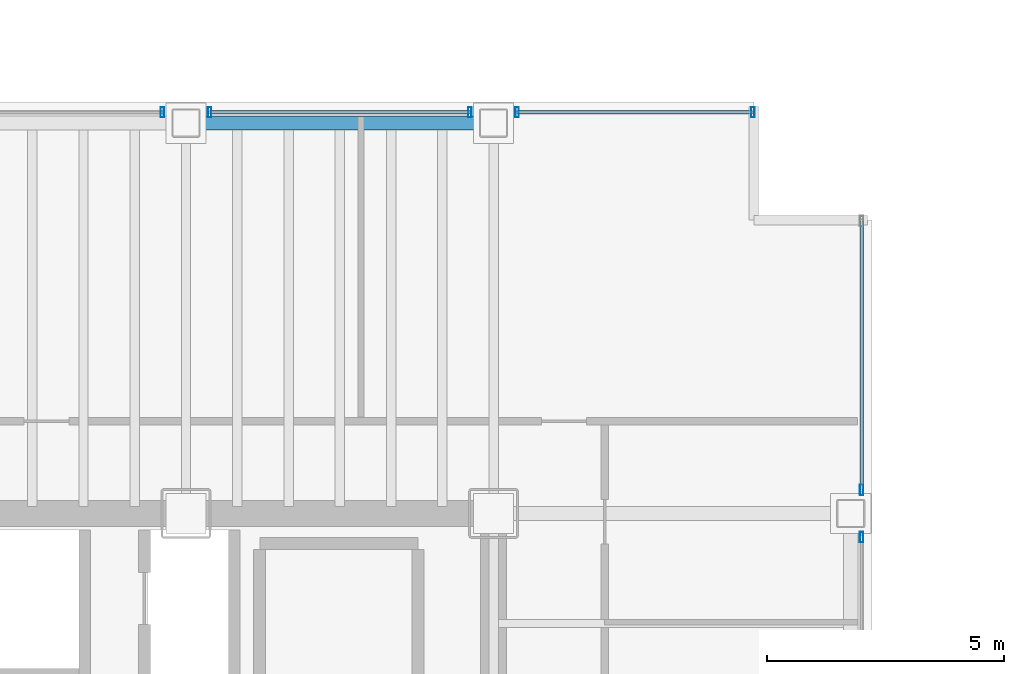
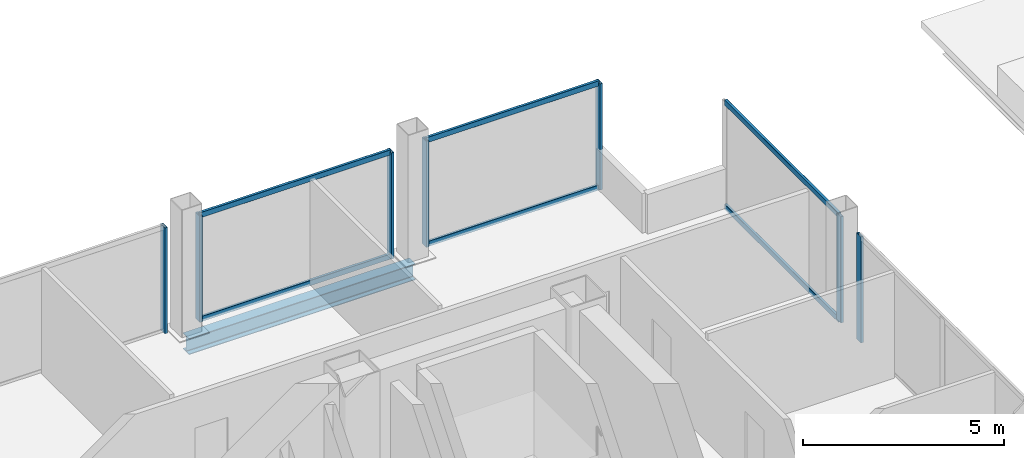
# One storey, part 20 of 30: 13 members, 1 beam, 5 elements without a shape of their own.
"""IFC4 building model written with IfcOpenShell, lengths in metres."""

from ifc_helpers import new_model, si_unit, direction, frame, origin, origin_2d, place, context, subcontext, project, spatial, hollow_rectangle, i_section, extrude, material, material_profile, profile_set, type_object, element, aggregate, save


model = new_model("IFC4")

# Units and contexts
model_context = context("Model", 3, precision=1e-05, world=origin(), true_north=direction((0.0, 1.0)))
body_context = subcontext(model_context, "Body", "Model", "MODEL_VIEW")
ifc_project = project(units=[si_unit("LENGTHUNIT", "METRE"), si_unit("AREAUNIT", "SQUARE_METRE"), si_unit("VOLUMEUNIT", "CUBIC_METRE"), si_unit("PLANEANGLEUNIT", "RADIAN"), si_unit("MASSUNIT", "GRAM", prefix="KILO")], contexts=[model_context])

# Site, building, storey
site_placement = place(None, origin())
site = spatial("IfcSite", under=ifc_project, at=site_placement, CompositionType="ELEMENT")
building_placement = place(site_placement, origin())
building = spatial("IfcBuilding", under=site, at=building_placement, Name="Noeulbin Bourse Tower", CompositionType="ELEMENT")
storey_placement = place(building_placement, frame((0.0, 0.0, 26.5)))
storey = spatial("IfcBuildingStorey", under=building, at=storey_placement, Name="L06", CompositionType="ELEMENT", Elevation=26.5)

# Beam
ifc_material_1 = material(Name="Steel S355", Category="steel")
ifc_material_profile_1 = material_profile(ifc_material_1, i_section(OverallWidth=0.300048828125, OverallDepth=0.488037109375, WebThickness=0.010986328125, FlangeThickness=0.01806640625, FilletRadius=0.02197265625, at=origin_2d()), Name="H-488x300x11x18", Category="LoadBearing")
ifc_profile_set_1 = profile_set([ifc_material_profile_1], Name="Steel S355")
beam_type = type_object("IfcBeamType", Name="BM-SPN-488", PredefinedType="SPANDREL", material=ifc_profile_set_1)
beam_placement = place(storey_placement, frame((37.5, 46.550048828125, -0.424072265625), z_axis=(1.0, 0.0, 0.0), x_axis=(0.0, 1.0, 0.0)))
element("IfcBeam", 1, at=beam_placement, inside=storey, type_object=beam_type, Name="North Spandrel L06-4", PredefinedType="SPANDREL", context=body_context, shape_type="SweptSolid", body=[
    extrude(i_section(OverallWidth=0.300048828125, OverallDepth=0.488037109375, WebThickness=0.010986328125, FlangeThickness=0.01806640625, FilletRadius=0.02197265625, at=origin_2d()), origin(), (0.0, 0.0, 1.0), 6.5),
])

# Curtain wall, member
ifc_material_2 = material(Name="Dark Solar-Control Double Glazing", Category="glass")
curtain_wall_type = type_object("IfcCurtainWallType", Name="CW-SYS-2", PredefinedType="NOTDEFINED", material=ifc_material_2)
curtain_wall_1_placement = place(storey_placement, origin())
curtain_wall_1 = element("IfcCurtainWall", 2, at=curtain_wall_1_placement, inside=storey, type_object=curtain_wall_type, Name="Unitised Curtain Wall CW-L06-N-S4", PredefinedType="NOTDEFINED")
ifc_material_3 = material(Name="Anodised Aluminium 6063-T6", Category="aluminium")
ifc_material_profile_2 = material_profile(ifc_material_3, hollow_rectangle(XDim=0.074951171875, YDim=0.219970703125, WallThickness=0.0048828125, InnerFilletRadius=0.00244140625, OuterFilletRadius=0.0048828125, at=origin_2d()), Name="ALU-MULL-75x220x5", Category="LoadBearing")
ifc_profile_set_2 = profile_set([ifc_material_profile_2], Name="Anodised Aluminium 6063-T6")
member_type_1 = type_object("IfcMemberType", Name="CW-SYS-2-MUL", PredefinedType="MULLION", material=ifc_profile_set_2)
member_1_placement = place(storey_placement, frame((37.0, 46.780029296875, -0.02001953125), z_axis=(0.0, 0.0, 1.0), x_axis=(1.0, 0.0, 0.0)))
member_1 = element("IfcMember", 3, at=member_1_placement, type_object=member_type_1, Name="Curtain Wall Mullion CW-L06-N-S4-M01", PredefinedType="MULLION", context=body_context, shape_type="SweptSolid", body=[
    extrude(hollow_rectangle(XDim=0.074951171875, YDim=0.219970703125, WallThickness=0.0048828125, InnerFilletRadius=0.00244140625, OuterFilletRadius=0.0048828125, at=origin_2d()), origin(), (0.0, 0.0, 1.0), 3.219970703125),
])
aggregate(curtain_wall_1, [member_1])

# Curtain wall, members
curtain_wall_2_placement = place(storey_placement, origin())
curtain_wall_2 = element("IfcCurtainWall", 4, at=curtain_wall_2_placement, inside=storey, type_object=curtain_wall_type, Name="Unitised Curtain Wall CW-L06-N-S5", PredefinedType="NOTDEFINED")
member_2_placement = place(storey_placement, frame((38.0, 46.780029296875, -0.02001953125), z_axis=(0.0, 0.0, 1.0), x_axis=(1.0, 0.0, 0.0)))
member_2 = element("IfcMember", 5, at=member_2_placement, type_object=member_type_1, Name="Curtain Wall Mullion CW-L06-N-S5-M00", PredefinedType="MULLION", context=body_context, shape_type="SweptSolid", body=[
    extrude(hollow_rectangle(XDim=0.074951171875, YDim=0.219970703125, WallThickness=0.0048828125, InnerFilletRadius=0.00244140625, OuterFilletRadius=0.0048828125, at=origin_2d()), origin(), (0.0, 0.0, 1.0), 3.219970703125),
])
member_3_placement = place(storey_placement, frame((43.5, 46.780029296875, -0.02001953125), z_axis=(0.0, 0.0, 1.0), x_axis=(1.0, 0.0, 0.0)))
member_3 = element("IfcMember", 6, at=member_3_placement, type_object=member_type_1, Name="Curtain Wall Mullion CW-L06-N-S5-M01", PredefinedType="MULLION", context=body_context, shape_type="SweptSolid", body=[
    extrude(hollow_rectangle(XDim=0.074951171875, YDim=0.219970703125, WallThickness=0.0048828125, InnerFilletRadius=0.00244140625, OuterFilletRadius=0.0048828125, at=origin_2d()), origin(), (0.0, 0.0, 1.0), 3.219970703125),
])

curtain_wall_3_placement = place(storey_placement, origin())
curtain_wall_3 = element("IfcCurtainWall", 7, at=curtain_wall_3_placement, inside=storey, type_object=curtain_wall_type, Name="Unitised Curtain Wall CW-L06-N-S6", PredefinedType="NOTDEFINED")
member_4_placement = place(storey_placement, frame((44.5, 46.780029296875, -0.02001953125), z_axis=(0.0, 0.0, 1.0), x_axis=(1.0, 0.0, 0.0)))
member_4 = element("IfcMember", 8, at=member_4_placement, type_object=member_type_1, Name="Curtain Wall Mullion CW-L06-N-S6-M00", PredefinedType="MULLION", context=body_context, shape_type="SweptSolid", body=[
    extrude(hollow_rectangle(XDim=0.074951171875, YDim=0.219970703125, WallThickness=0.0048828125, InnerFilletRadius=0.00244140625, OuterFilletRadius=0.0048828125, at=origin_2d()), origin(), (0.0, 0.0, 1.0), 3.219970703125),
])
member_5_placement = place(storey_placement, frame((49.47998046875, 46.780029296875, -0.02001953125), z_axis=(0.0, 0.0, 1.0), x_axis=(1.0, 0.0, 0.0)))
member_5 = element("IfcMember", 9, at=member_5_placement, type_object=member_type_1, Name="Curtain Wall Mullion CW-L06-N-S6-M01", PredefinedType="MULLION", context=body_context, shape_type="SweptSolid", body=[
    extrude(hollow_rectangle(XDim=0.074951171875, YDim=0.219970703125, WallThickness=0.0048828125, InnerFilletRadius=0.00244140625, OuterFilletRadius=0.0048828125, at=origin_2d()), origin(), (0.0, 0.0, 1.0), 3.219970703125),
])

# Curtain wall, member
curtain_wall_4_placement = place(storey_placement, origin())
curtain_wall_4 = element("IfcCurtainWall", 10, at=curtain_wall_4_placement, inside=storey, type_object=curtain_wall_type, Name="Unitised Curtain Wall CW-L06-E-S3", PredefinedType="NOTDEFINED")
member_6_placement = place(storey_placement, frame((51.780029296875, 37.800048828125, -0.02001953125), z_axis=(0.0, 0.0, 1.0), x_axis=(1.0, 0.0, 0.0)))
member_6 = element("IfcMember", 11, at=member_6_placement, type_object=member_type_1, Name="Curtain Wall Mullion CW-L06-E-S3-M02", PredefinedType="MULLION", context=body_context, shape_type="SweptSolid", body=[
    extrude(hollow_rectangle(XDim=0.074951171875, YDim=0.219970703125, WallThickness=0.0048828125, InnerFilletRadius=0.00244140625, OuterFilletRadius=0.0048828125, at=origin_2d()), origin(), (0.0, 0.0, 1.0), 3.219970703125),
])
aggregate(curtain_wall_4, [member_6])

curtain_wall_5_placement = place(storey_placement, origin())
curtain_wall_5 = element("IfcCurtainWall", 12, at=curtain_wall_5_placement, inside=storey, type_object=curtain_wall_type, Name="Unitised Curtain Wall CW-L06-E-S4", PredefinedType="NOTDEFINED")
member_7_placement = place(storey_placement, frame((51.780029296875, 38.800048828125, -0.02001953125), z_axis=(0.0, 0.0, 1.0), x_axis=(1.0, 0.0, 0.0)))
member_7 = element("IfcMember", 13, at=member_7_placement, type_object=member_type_1, Name="Curtain Wall Mullion CW-L06-E-S4-M00", PredefinedType="MULLION", context=body_context, shape_type="SweptSolid", body=[
    extrude(hollow_rectangle(XDim=0.074951171875, YDim=0.219970703125, WallThickness=0.0048828125, InnerFilletRadius=0.00244140625, OuterFilletRadius=0.0048828125, at=origin_2d()), origin(), (0.0, 0.0, 1.0), 3.219970703125),
])

# Member
ifc_material_profile_3 = material_profile(ifc_material_3, hollow_rectangle(XDim=0.074951171875, YDim=0.159912109375, WallThickness=0.0048828125, InnerFilletRadius=0.00244140625, OuterFilletRadius=0.0048828125, at=origin_2d()), Name="ALU-TRAN-75x160x5", Category="LoadBearing")
ifc_profile_set_3 = profile_set([ifc_material_profile_3], Name="Anodised Aluminium 6063-T6")
member_type_2 = type_object("IfcMemberType", Name="CW-SYS-2-TRN", PredefinedType="USERDEFINED", material=ifc_profile_set_3)
member_8_placement = place(storey_placement, frame((38.010009765625, 46.780029296875, 0.010009765625), z_axis=(1.0, 0.0, 0.0), x_axis=(0.0, 1.0, 0.0)))
member_8 = element("IfcMember", 14, at=member_8_placement, type_object=member_type_2, Name="Curtain Wall Transom CW-L06-N-S5-T00", ObjectType="TRANSOM", PredefinedType="USERDEFINED", context=body_context, shape_type="SweptSolid", body=[
    extrude(hollow_rectangle(XDim=0.074951171875, YDim=0.159912109375, WallThickness=0.0048828125, InnerFilletRadius=0.00244140625, OuterFilletRadius=0.0048828125, at=origin_2d()), origin(), (0.0, 0.0, 1.0), 5.47998046875),
])

member_9_placement = place(storey_placement, frame((38.010009765625, 46.780029296875, 3.169921875), z_axis=(1.0, 0.0, 0.0), x_axis=(0.0, 1.0, 0.0)))
member_9 = element("IfcMember", 15, at=member_9_placement, type_object=member_type_2, Name="Curtain Wall Transom CW-L06-N-S5-T01", ObjectType="TRANSOM", PredefinedType="USERDEFINED", context=body_context, shape_type="SweptSolid", body=[
    extrude(hollow_rectangle(XDim=0.074951171875, YDim=0.159912109375, WallThickness=0.0048828125, InnerFilletRadius=0.00244140625, OuterFilletRadius=0.0048828125, at=origin_2d()), origin(), (0.0, 0.0, 1.0), 5.47998046875),
])

aggregate(curtain_wall_2, [member_2, member_3, member_8, member_9])

member_10_placement = place(storey_placement, frame((44.510009765625, 46.780029296875, 0.010009765625), z_axis=(1.0, 0.0, 0.0), x_axis=(0.0, 1.0, 0.0)))
member_10 = element("IfcMember", 16, at=member_10_placement, type_object=member_type_2, Name="Curtain Wall Transom CW-L06-N-S6-T00", ObjectType="TRANSOM", PredefinedType="USERDEFINED", context=body_context, shape_type="SweptSolid", body=[
    extrude(hollow_rectangle(XDim=0.074951171875, YDim=0.159912109375, WallThickness=0.0048828125, InnerFilletRadius=0.00244140625, OuterFilletRadius=0.0048828125, at=origin_2d()), origin(), (0.0, 0.0, 1.0), 4.9599609375),
])

member_11_placement = place(storey_placement, frame((44.510009765625, 46.780029296875, 3.169921875), z_axis=(1.0, 0.0, 0.0), x_axis=(0.0, 1.0, 0.0)))
member_11 = element("IfcMember", 17, at=member_11_placement, type_object=member_type_2, Name="Curtain Wall Transom CW-L06-N-S6-T01", ObjectType="TRANSOM", PredefinedType="USERDEFINED", context=body_context, shape_type="SweptSolid", body=[
    extrude(hollow_rectangle(XDim=0.074951171875, YDim=0.159912109375, WallThickness=0.0048828125, InnerFilletRadius=0.00244140625, OuterFilletRadius=0.0048828125, at=origin_2d()), origin(), (0.0, 0.0, 1.0), 4.9599609375),
])

aggregate(curtain_wall_3, [member_4, member_5, member_10, member_11])

member_12_placement = place(storey_placement, frame((51.780029296875, 38.81005859375, 0.010009765625), z_axis=(0.0, 1.0, 0.0), x_axis=(-1.0, 0.0, 0.0)))
member_12 = element("IfcMember", 18, at=member_12_placement, type_object=member_type_2, Name="Curtain Wall Transom CW-L06-E-S4-T00", ObjectType="TRANSOM", PredefinedType="USERDEFINED", context=body_context, shape_type="SweptSolid", body=[
    extrude(hollow_rectangle(XDim=0.074951171875, YDim=0.159912109375, WallThickness=0.0048828125, InnerFilletRadius=0.00244140625, OuterFilletRadius=0.0048828125, at=origin_2d()), origin(), (0.0, 0.0, 1.0), 5.659912109375),
])

member_13_placement = place(storey_placement, frame((51.780029296875, 38.81005859375, 3.169921875), z_axis=(0.0, 1.0, 0.0), x_axis=(-1.0, 0.0, 0.0)))
member_13 = element("IfcMember", 19, at=member_13_placement, type_object=member_type_2, Name="Curtain Wall Transom CW-L06-E-S4-T01", ObjectType="TRANSOM", PredefinedType="USERDEFINED", context=body_context, shape_type="SweptSolid", body=[
    extrude(hollow_rectangle(XDim=0.074951171875, YDim=0.159912109375, WallThickness=0.0048828125, InnerFilletRadius=0.00244140625, OuterFilletRadius=0.0048828125, at=origin_2d()), origin(), (0.0, 0.0, 1.0), 5.659912109375),
])

aggregate(curtain_wall_5, [member_7, member_12, member_13])

save(model, "model.ifc")
